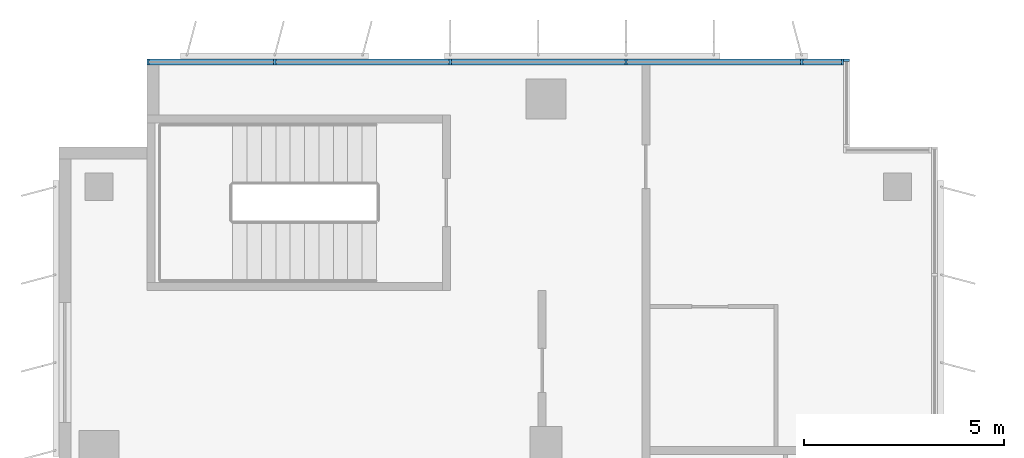
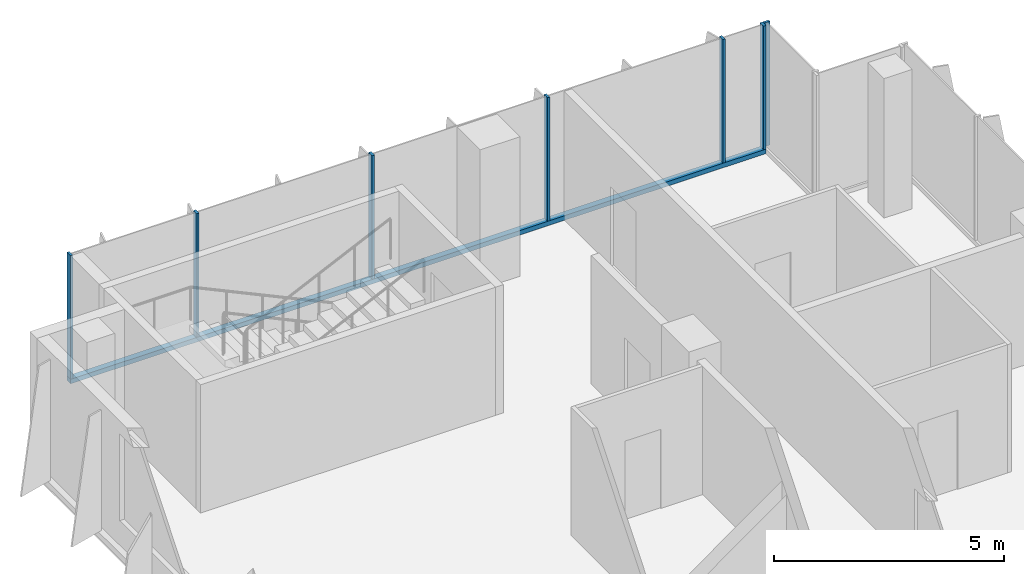
# One storey, part 9 of 21: 8 members, 2 elements without a shape of their own.
"""IFC4 building model written with IfcOpenShell, lengths in metres."""

from ifc_helpers import new_model, si_unit, direction, frame, origin, origin_2d, place, context, subcontext, project, spatial, rectangle, extrude, source, transform, mapped, material, material_profile, profile_set, type_object, element, aggregate, save


model = new_model("IFC4")

# Units and contexts
model_context = context("Model", 3, precision=1e-05, world=origin(), true_north=direction((0.0, 1.0)))
body_context = subcontext(model_context, "Body", "Model", "MODEL_VIEW")
ifc_project = project(units=[si_unit("LENGTHUNIT", "METRE"), si_unit("AREAUNIT", "SQUARE_METRE"), si_unit("VOLUMEUNIT", "CUBIC_METRE"), si_unit("PLANEANGLEUNIT", "RADIAN"), si_unit("MASSUNIT", "GRAM", prefix="KILO")], contexts=[model_context])

# Site, building, storey
site_placement = place(None, origin())
site = spatial("IfcSite", under=ifc_project, at=site_placement, CompositionType="ELEMENT")
building_placement = place(site_placement, origin())
building = spatial("IfcBuilding", under=site, at=building_placement, Name="Kemantara Hotel Tower", CompositionType="ELEMENT")
storey_placement = place(building_placement, frame((0.0, 0.0, 211.699951171875)))
storey = spatial("IfcBuildingStorey", under=building, at=storey_placement, Name="L52", CompositionType="ELEMENT", Elevation=211.699951171875)

# Curtain wall, members
ifc_material_1 = material(Name="Low-E tinted double insulated glass 36 mm", Category="glass")
curtain_wall_type = type_object("IfcCurtainWallType", Name="TOWER CURTAIN WALL, FRONT FACES", PredefinedType="USERDEFINED", material=ifc_material_1)
curtain_wall_1_placement = place(storey_placement, origin())
curtain_wall_1 = element("IfcCurtainWall", 1, at=curtain_wall_1_placement, inside=storey, type_object=curtain_wall_type, Name="CW4 L52 T3-R02-1", ObjectType="TOWER CURTAIN WALL, FRONT FACES", PredefinedType="USERDEFINED")
ifc_material_2 = material(Name="Aluminium 6063-T6 bronze anodised", Category="aluminium")
ifc_material_profile_1 = material_profile(ifc_material_2, rectangle(XDim=0.14990234375, YDim=0.1201171875, at=origin_2d()), Name="TOWER CURTAIN WALL, FRONT FACES TRANSOM")
ifc_profile_set_1 = profile_set([ifc_material_profile_1], Name="Aluminium 6063-T6 bronze anodised")
member_type_1 = type_object("IfcMemberType", Name="TOWER CURTAIN WALL, FRONT FACES TRANSOM", PredefinedType="USERDEFINED", material=ifc_profile_set_1)
member_1_placement = place(storey_placement, frame((19.64990234375, 63.52490234375, 0.06005859375), z_axis=(-1.0, 0.0, 0.0), x_axis=(0.0, -1.0, 0.0)))
member_1 = element("IfcMember", 2, at=member_1_placement, type_object=member_type_1, Name="CW4 sill transom T3-R02-1", ObjectType="TRANSOM", PredefinedType="USERDEFINED", context=body_context, shape_type="SweptSolid", body=[
    extrude(rectangle(XDim=0.14990234375, YDim=0.1201171875, at=origin_2d()), origin(), (0.0, 0.0, 1.0), 17.449951171875),
])
ifc_material_profile_2 = material_profile(ifc_material_2, rectangle(XDim=0.14990234375, YDim=0.06005859375, at=origin_2d()), Name="TOWER CURTAIN WALL, FRONT FACES MULLION")
ifc_profile_set_2 = profile_set([ifc_material_profile_2], Name="Aluminium 6063-T6 bronze anodised")
member_type_2 = type_object("IfcMemberType", Name="TOWER CURTAIN WALL, FRONT FACES MULLION", PredefinedType="MULLION", material=ifc_profile_set_2)
shared_shape = source(origin(), body_context, "Body", "SweptSolid", [
    extrude(rectangle(XDim=0.14990234375, YDim=0.06005859375, at=origin_2d()), origin(), (0.0, 0.0, 1.0), 3.280029296875),
])
member_2_placement = place(storey_placement, frame((19.6201171875, 63.52490234375, 0.1201171875), z_axis=(0.0, 0.0, 1.0), x_axis=(0.0, -1.0, 0.0)))
member_2 = element("IfcMember", 3, at=member_2_placement, type_object=member_type_2, Name="CW4 mullion T3-R02-1.1", PredefinedType="MULLION", context=body_context, shape_type="MappedRepresentation", body=[
    mapped(shared_shape, transform((0.0, 0.0, 0.0))),
])
member_3_placement = place(storey_placement, frame((18.60009765625, 63.52490234375, 0.1201171875), z_axis=(0.0, 0.0, 1.0), x_axis=(0.0, -1.0, 0.0)))
member_3 = element("IfcMember", 4, at=member_3_placement, type_object=member_type_2, Name="CW4 mullion T3-R02-1.2", PredefinedType="MULLION", context=body_context, shape_type="MappedRepresentation", body=[
    mapped(shared_shape, transform((0.0, 0.0, 0.0))),
])
member_4_placement = place(storey_placement, frame((14.199951171875, 63.52490234375, 0.1201171875), z_axis=(0.0, 0.0, 1.0), x_axis=(0.0, -1.0, 0.0)))
member_4 = element("IfcMember", 5, at=member_4_placement, type_object=member_type_2, Name="CW4 mullion T3-R02-1.3", PredefinedType="MULLION", context=body_context, shape_type="MappedRepresentation", body=[
    mapped(shared_shape, transform((0.0, 0.0, 0.0))),
])
member_5_placement = place(storey_placement, frame((9.800048828125, 63.52490234375, 0.1201171875), z_axis=(0.0, 0.0, 1.0), x_axis=(0.0, -1.0, 0.0)))
member_5 = element("IfcMember", 6, at=member_5_placement, type_object=member_type_2, Name="CW4 mullion T3-R02-1.4", PredefinedType="MULLION", context=body_context, shape_type="MappedRepresentation", body=[
    mapped(shared_shape, transform((0.0, 0.0, 0.0))),
])
member_6_placement = place(storey_placement, frame((5.39990234375, 63.52490234375, 0.1201171875), z_axis=(0.0, 0.0, 1.0), x_axis=(0.0, -1.0, 0.0)))
member_6 = element("IfcMember", 7, at=member_6_placement, type_object=member_type_2, Name="CW4 mullion T3-R02-1.5", PredefinedType="MULLION", context=body_context, shape_type="MappedRepresentation", body=[
    mapped(shared_shape, transform((0.0, 0.0, 0.0))),
])
member_7_placement = place(storey_placement, frame((2.22998046875, 63.52490234375, 0.1201171875), z_axis=(0.0, 0.0, 1.0), x_axis=(0.0, -1.0, 0.0)))
member_7 = element("IfcMember", 8, at=member_7_placement, type_object=member_type_2, Name="CW4 mullion T3-R02-1.6", PredefinedType="MULLION", context=body_context, shape_type="MappedRepresentation", body=[
    mapped(shared_shape, transform((0.0, 0.0, 0.0))),
])
aggregate(curtain_wall_1, [member_1, member_2, member_3, member_4, member_5, member_6, member_7])

# Curtain wall, member
curtain_wall_2_placement = place(storey_placement, origin())
curtain_wall_2 = element("IfcCurtainWall", 9, at=curtain_wall_2_placement, inside=storey, type_object=curtain_wall_type, Name="CW4 L52 T3-R01-1", ObjectType="TOWER CURTAIN WALL, FRONT FACES", PredefinedType="USERDEFINED")
member_8_placement = place(storey_placement, frame((19.72509765625, 63.570068359375, 0.1201171875), z_axis=(0.0, 0.0, 1.0), x_axis=(-1.0, 0.0, 0.0)))
member_8 = element("IfcMember", 10, at=member_8_placement, type_object=member_type_2, Name="CW4 mullion T3-R01-1.2", PredefinedType="MULLION", context=body_context, shape_type="MappedRepresentation", body=[
    mapped(shared_shape, transform((0.0, 0.0, 0.0))),
])
aggregate(curtain_wall_2, [member_8])

save(model, "model.ifc")
